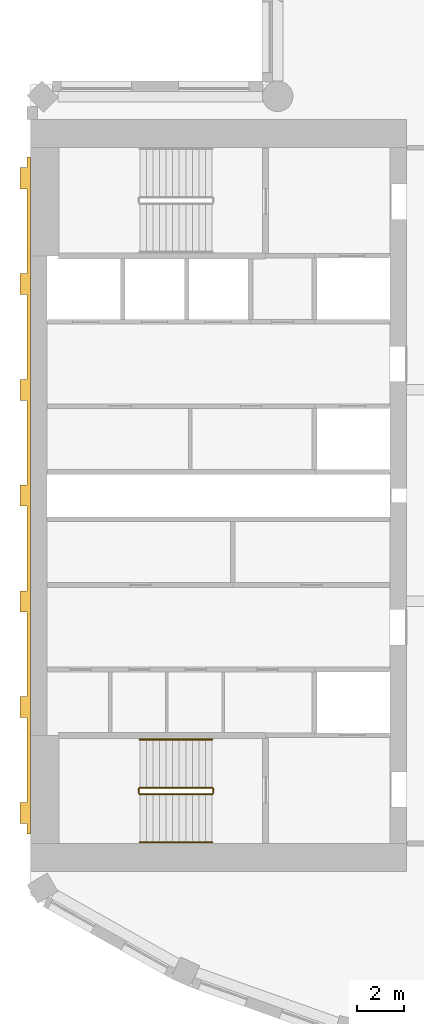
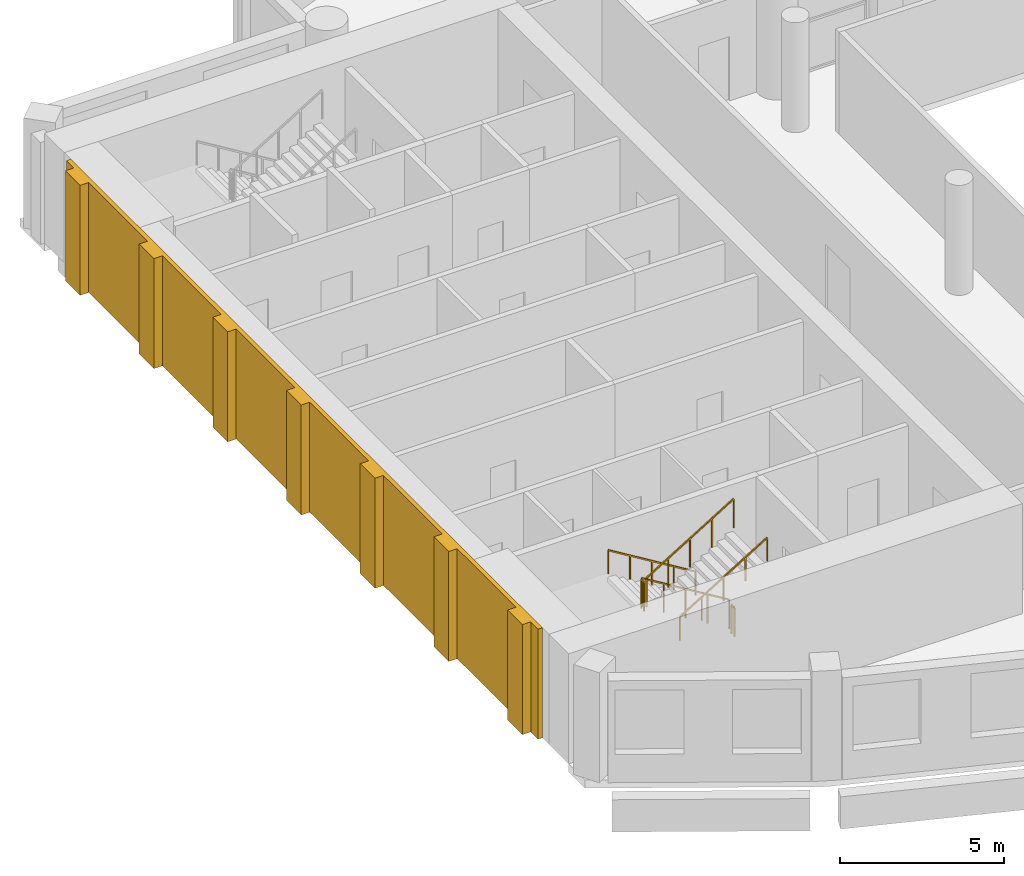
# One storey, part 10 of 14: 6 railings, 1 covering.
"""IFC4 building model written with IfcOpenShell, lengths in metres."""

from ifc_helpers import new_model, si_unit, direction, frame, origin, origin_2d, place, context, subcontext, project, spatial, polyline, rectangle, outline, extrude, material, layer, layer_set, type_object, element, save


model = new_model("IFC4")

# Units and contexts
model_context = context("Model", 3, precision=1e-05, world=origin(), true_north=direction((0.0, 1.0)))
body_context = subcontext(model_context, "Body", "Model", "MODEL_VIEW")
ifc_project = project(units=[si_unit("LENGTHUNIT", "METRE"), si_unit("AREAUNIT", "SQUARE_METRE"), si_unit("VOLUMEUNIT", "CUBIC_METRE"), si_unit("PLANEANGLEUNIT", "RADIAN"), si_unit("MASSUNIT", "GRAM", prefix="KILO")], contexts=[model_context])

# Site, building, storey
site_placement = place(None, origin())
site = spatial("IfcSite", under=ifc_project, at=site_placement, CompositionType="ELEMENT")
building_placement = place(site_placement, origin())
building = spatial("IfcBuilding", under=site, at=building_placement, Name="Cypress Arch Tower", CompositionType="ELEMENT")
storey_placement = place(building_placement, frame((0.0, 0.0, 251.60009765625)))
storey = spatial("IfcBuildingStorey", under=building, at=storey_placement, Name="L56", CompositionType="ELEMENT", Elevation=251.60009765625)

# Railings
ifc_material_1 = material(Name="Black powder-coated steel square bar 48 mm", Category="steel")
railing_type_1 = type_object("IfcRailingType", Name="Stair handrail HR1", PredefinedType="HANDRAIL", material=ifc_material_1)
railing_1_placement = place(storey_placement, frame((-22.27490234375, -10.375, 0.170654296875)))
element("IfcRailing", 1, at=railing_1_placement, inside=storey, type_object=railing_type_1, Name="L56 A stair handrail 1", PredefinedType="HANDRAIL", context=body_context, shape_type="SweptSolid", body=[
    extrude(rectangle(XDim=0.048095703125, YDim=0.048095703125, at=origin_2d()), frame((0.0, 0.0, 0.8759765625), z_axis=(-0.853666305674, 0.0, 0.52082035152), x_axis=(0.0, -1.0, 0.0)), (0.0, 0.0, 1.0), 3.608154296875),
    extrude(rectangle(XDim=0.0419921875, YDim=0.0419921875, at=origin_2d()), origin(), (0.0, 0.0, 1.0), 0.851806640625),
    extrude(rectangle(XDim=0.0419921875, YDim=0.0419921875, at=origin_2d()), frame((-0.77001953125, 0.0, 0.4697265625)), (0.0, 0.0, 1.0), 0.851806640625),
    extrude(rectangle(XDim=0.0419921875, YDim=0.0419921875, at=origin_2d()), frame((-1.5400390625, 0.0, 0.939453125)), (0.0, 0.0, 1.0), 0.851806640625),
    extrude(rectangle(XDim=0.0419921875, YDim=0.0419921875, at=origin_2d()), frame((-2.31005859375, 0.0, 1.409423828125)), (0.0, 0.0, 1.0), 0.851806640625),
    extrude(rectangle(XDim=0.0419921875, YDim=0.0419921875, at=origin_2d()), frame((-3.080078125, 0.0, 1.879150390625)), (0.0, 0.0, 1.0), 0.851806640625),
])
railing_2_placement = place(storey_placement, frame((-25.35498046875, -14.75, 2.220703125)))
element("IfcRailing", 2, at=railing_2_placement, inside=storey, type_object=railing_type_1, Name="L56 A stair handrail 2", PredefinedType="HANDRAIL", context=body_context, shape_type="SweptSolid", body=[
    extrude(rectangle(XDim=0.048095703125, YDim=0.048095703125, at=origin_2d()), frame((0.0, 0.0, 0.8759765625), z_axis=(0.853666305674, 0.0, 0.52082035152), x_axis=(0.0, 1.0, 0.0)), (0.0, 0.0, 1.0), 3.608154296875),
    extrude(rectangle(XDim=0.0419921875, YDim=0.0419921875, at=origin_2d()), origin(), (0.0, 0.0, 1.0), 0.851806640625),
    extrude(rectangle(XDim=0.0419921875, YDim=0.0419921875, at=origin_2d()), frame((0.77001953125, 0.0, 0.4697265625)), (0.0, 0.0, 1.0), 0.851806640625),
    extrude(rectangle(XDim=0.0419921875, YDim=0.0419921875, at=origin_2d()), frame((1.5400390625, 0.0, 0.939453125)), (0.0, 0.0, 1.0), 0.851806640625),
    extrude(rectangle(XDim=0.0419921875, YDim=0.0419921875, at=origin_2d()), frame((2.31005859375, 0.0, 1.409423828125)), (0.0, 0.0, 1.0), 0.851806640625),
    extrude(rectangle(XDim=0.0419921875, YDim=0.0419921875, at=origin_2d()), frame((3.080078125, 0.0, 1.879150390625)), (0.0, 0.0, 1.0), 0.851806640625),
])
ifc_material_2 = material(Name="Black powder-coated steel balusters", Category="steel")
railing_type_2 = type_object("IfcRailingType", Name="Stair well guard G1", PredefinedType="GUARDRAIL", material=ifc_material_2)
railing_3_placement = place(storey_placement, frame((-22.27490234375, -12.425048828125, 0.170654296875)))
element("IfcRailing", 3, at=railing_3_placement, inside=storey, type_object=railing_type_2, Name="L56 A stair guard 1", PredefinedType="GUARDRAIL", context=body_context, shape_type="SweptSolid", body=[
    extrude(rectangle(XDim=0.048095703125, YDim=0.048095703125, at=origin_2d()), frame((0.0, 0.0, 1.076171875), z_axis=(-0.853666305674, 0.0, 0.52082035152), x_axis=(0.0, -1.0, 0.0)), (0.0, 0.0, 1.0), 3.608154296875),
    extrude(rectangle(XDim=0.0419921875, YDim=0.0419921875, at=origin_2d()), origin(), (0.0, 0.0, 1.0), 1.052001953125),
    extrude(rectangle(XDim=0.0419921875, YDim=0.0419921875, at=origin_2d()), frame((-0.77001953125, 0.0, 0.4697265625)), (0.0, 0.0, 1.0), 1.052001953125),
    extrude(rectangle(XDim=0.0419921875, YDim=0.0419921875, at=origin_2d()), frame((-1.5400390625, 0.0, 0.939453125)), (0.0, 0.0, 1.0), 1.052001953125),
    extrude(rectangle(XDim=0.0419921875, YDim=0.0419921875, at=origin_2d()), frame((-2.31005859375, 0.0, 1.409423828125)), (0.0, 0.0, 1.0), 1.052001953125),
    extrude(rectangle(XDim=0.0419921875, YDim=0.0419921875, at=origin_2d()), frame((-3.080078125, 0.0, 1.879150390625)), (0.0, 0.0, 1.0), 1.052001953125),
])
railing_4_placement = place(storey_placement, frame((-25.405029296875, -12.47509765625, 2.0498046875)))
element("IfcRailing", 4, at=railing_4_placement, inside=storey, type_object=railing_type_2, Name="L56 A stair guard 2", PredefinedType="GUARDRAIL", context=body_context, shape_type="SweptSolid", body=[
    extrude(rectangle(XDim=0.048095703125, YDim=0.048095703125, at=origin_2d()), frame((0.0, 0.0, 1.076171875), z_axis=(0.0, -1.0, 0.0), x_axis=(1.0, 0.0, 0.0)), (0.0, 0.0, 1.0), 0.1748046875),
    extrude(rectangle(XDim=0.0419921875, YDim=0.0419921875, at=origin_2d()), origin(), (0.0, 0.0, 1.0), 1.052001953125),
    extrude(rectangle(XDim=0.0419921875, YDim=0.0419921875, at=origin_2d()), frame((0.0, -0.1748046875, 0.0)), (0.0, 0.0, 1.0), 1.052001953125),
])
railing_5_placement = place(storey_placement, frame((-25.35498046875, -12.699951171875, 2.220703125)))
element("IfcRailing", 5, at=railing_5_placement, inside=storey, type_object=railing_type_2, Name="L56 A stair guard 3", PredefinedType="GUARDRAIL", context=body_context, shape_type="SweptSolid", body=[
    extrude(rectangle(XDim=0.048095703125, YDim=0.048095703125, at=origin_2d()), frame((0.0, 0.0, 1.076171875), z_axis=(0.853666305674, 0.0, 0.52082035152), x_axis=(0.0, 1.0, 0.0)), (0.0, 0.0, 1.0), 3.608154296875),
    extrude(rectangle(XDim=0.0419921875, YDim=0.0419921875, at=origin_2d()), origin(), (0.0, 0.0, 1.0), 1.052001953125),
    extrude(rectangle(XDim=0.0419921875, YDim=0.0419921875, at=origin_2d()), frame((0.77001953125, 0.0, 0.4697265625)), (0.0, 0.0, 1.0), 1.052001953125),
    extrude(rectangle(XDim=0.0419921875, YDim=0.0419921875, at=origin_2d()), frame((1.5400390625, 0.0, 0.939453125)), (0.0, 0.0, 1.0), 1.052001953125),
    extrude(rectangle(XDim=0.0419921875, YDim=0.0419921875, at=origin_2d()), frame((2.31005859375, 0.0, 1.409423828125)), (0.0, 0.0, 1.0), 1.052001953125),
    extrude(rectangle(XDim=0.0419921875, YDim=0.0419921875, at=origin_2d()), frame((3.080078125, 0.0, 1.879150390625)), (0.0, 0.0, 1.0), 1.052001953125),
])
railing_6_placement = place(storey_placement, frame((-22.22509765625, -12.47509765625, 0.0)))
element("IfcRailing", 6, at=railing_6_placement, inside=storey, type_object=railing_type_2, Name="L56 A stair guard 4", PredefinedType="GUARDRAIL", context=body_context, shape_type="SweptSolid", body=[
    extrude(rectangle(XDim=0.048095703125, YDim=0.048095703125, at=origin_2d()), frame((0.0, 0.0, 1.076171875), z_axis=(0.0, -1.0, 0.0), x_axis=(1.0, 0.0, 0.0)), (0.0, 0.0, 1.0), 0.1748046875),
    extrude(rectangle(XDim=0.0419921875, YDim=0.0419921875, at=origin_2d()), origin(), (0.0, 0.0, 1.0), 1.052001953125),
    extrude(rectangle(XDim=0.0419921875, YDim=0.0419921875, at=origin_2d()), frame((0.0, -0.1748046875, 0.0)), (0.0, 0.0, 1.0), 1.052001953125),
])

# Covering
ifc_material_3 = material(Name="Brick (red buff blend)", Category="masonry")
ifc_layer = layer(ifc_material_3, 0.449951171875)
ifc_layer_set = layer_set([ifc_layer], Name="West face brick piers WP450")
covering_type = type_object("IfcCoveringType", Name="West face brick piers WP450", PredefinedType="CLADDING", material=ifc_layer_set)
covering_placement = place(storey_placement, origin())
element("IfcCovering", 7, at=covering_placement, inside=storey, type_object=covering_type, Name="West face brick piers L56", PredefinedType="CLADDING", context=body_context, shape_type="SweptSolid", body=[
    extrude(outline(polyline([(-30.14990234375, -13.050048828125), (-30.14990234375, -9.449951171875), (-30.449951171875, -9.449951171875), (-30.449951171875, -8.550048828125), (-30.14990234375, -8.550048828125), (-30.14990234375, -4.949951171875), (-30.449951171875, -4.949951171875), (-30.449951171875, -4.050048828125), (-30.14990234375, -4.050048828125), (-30.14990234375, -0.449951171875), (-30.449951171875, -0.449951171875), (-30.449951171875, 0.449951171875), (-30.14990234375, 0.449951171875), (-30.14990234375, 4.050048828125), (-30.449951171875, 4.050048828125), (-30.449951171875, 4.949951171875), (-30.14990234375, 4.949951171875), (-30.14990234375, 8.550048828125), (-30.449951171875, 8.550048828125), (-30.449951171875, 9.449951171875), (-30.14990234375, 9.449951171875), (-30.14990234375, 13.050048828125), (-30.449951171875, 13.050048828125), (-30.449951171875, 13.949951171875), (-30.14990234375, 13.949951171875), (-30.14990234375, 14.39990234375), (-30.0, 14.39990234375), (-30.0, -14.39990234375), (-30.14990234375, -14.39990234375), (-30.14990234375, -13.949951171875), (-30.449951171875, -13.949951171875), (-30.449951171875, -13.050048828125), (-30.14990234375, -13.050048828125)])), origin(), (0.0, 0.0, 1.0), 4.099853515625),
])

save(model, "model.ifc")
